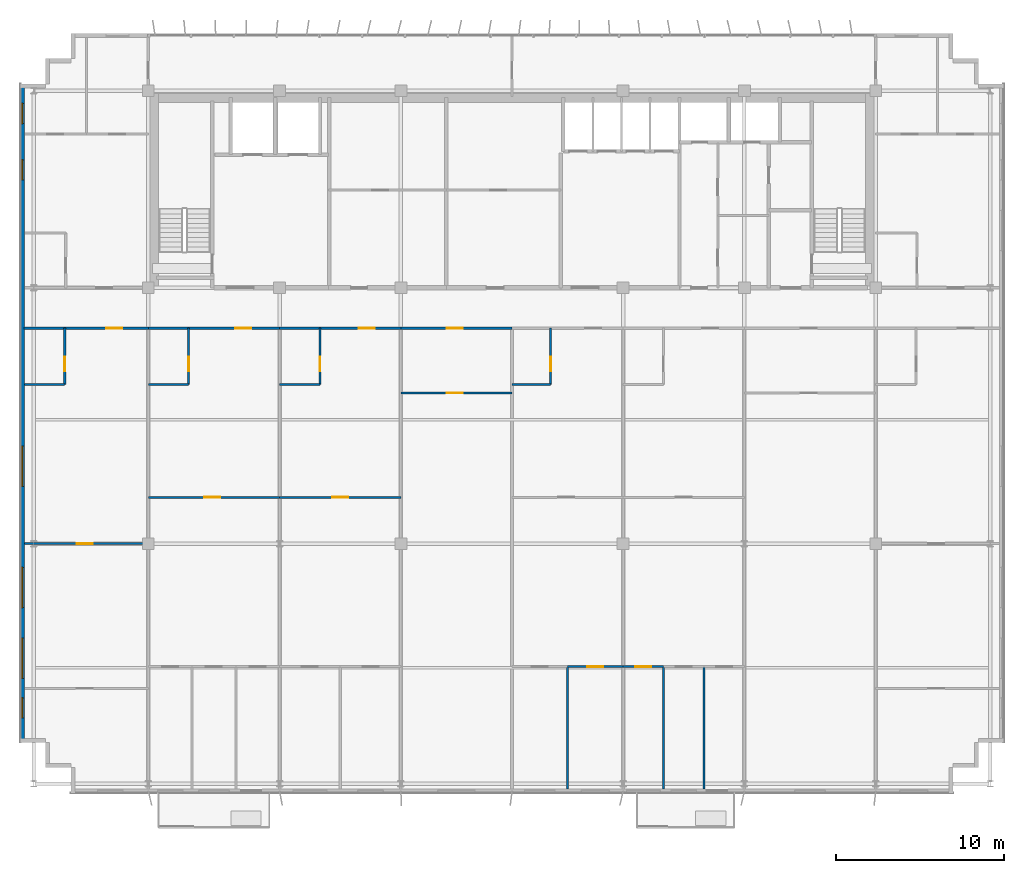
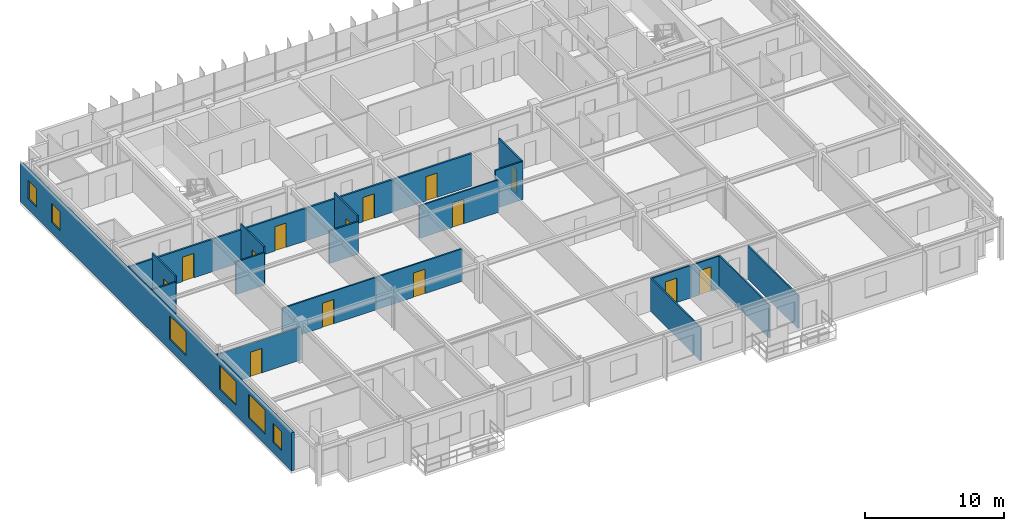
# One storey, part 17 of 23: 22 walls, 14 doors, 6 windows, 20 openings.
"""IFC4 building model written with IfcOpenShell, lengths in metres."""

from ifc_helpers import new_model, si_unit, direction, frame, frame_2d, origin, place, context, subcontext, project, spatial, rectangle, extrude, source, transform, mapped, material, layer, layer_set, type_object, element, fill, save


model = new_model("IFC4")

# Units and contexts
model_context = context("Model", 3, precision=1e-05, world=origin(), true_north=direction((0.0, 1.0)))
body_context = subcontext(model_context, "Body", "Model", "MODEL_VIEW")
ifc_project = project(units=[si_unit("LENGTHUNIT", "METRE"), si_unit("AREAUNIT", "SQUARE_METRE"), si_unit("VOLUMEUNIT", "CUBIC_METRE"), si_unit("PLANEANGLEUNIT", "RADIAN"), si_unit("MASSUNIT", "GRAM", prefix="KILO")], contexts=[model_context])

# Site, building, storey
site_placement = place(None, origin())
site = spatial("IfcSite", under=ifc_project, at=site_placement, CompositionType="ELEMENT")
building_placement = place(site_placement, origin())
building = spatial("IfcBuilding", under=site, at=building_placement, Name="Trelvane Seafront Commons", CompositionType="ELEMENT")
storey_placement = place(building_placement, frame((0.0, 0.0, 226.5)))
storey = spatial("IfcBuildingStorey", under=building, at=storey_placement, Name="L59", CompositionType="ELEMENT", Elevation=226.5)

# Wall, openings, windows
ifc_material_1 = material(Name="Precast concrete C40/50", Category="concrete")
ifc_layer_1 = layer(ifc_material_1, 0.239990234375, Name="ARCH-WALL-EXT240")
ifc_layer_set_1 = layer_set([ifc_layer_1], Name="Precast concrete C40/50")
wall_type_1 = type_object("IfcWallType", Name="ARCH-WALL-EXT240", PredefinedType="SOLIDWALL", material=ifc_layer_set_1)
wall_1_placement = place(storey_placement, frame((8.1201171875, 6.39990234375, 0.0), z_axis=(0.0, 0.0, 1.0), x_axis=(0.0, 1.0, 0.0)))
wall_1 = element("IfcWall", 1, at=wall_1_placement, inside=storey, type_object=wall_type_1, Name="EW-L59-01188", PredefinedType="SOLIDWALL", context=body_context, shape_type="SweptSolid", body=[
    extrude(rectangle(XDim=39.10009765625, YDim=0.239990234375, at=frame_2d((19.550048828125, 0.0))), origin(), (0.0, 0.0, 1.0), 3.360107421875),
])
opening_1_placement = place(wall_1_placement, frame((1.449951171875, 0.0, 0.919921875)))
opening_1 = element("IfcOpeningElement", 2, at=opening_1_placement, cuts=wall_1, Name="Opening W05", PredefinedType="OPENING", context=body_context, shape_type="SweptSolid", body=[
    extrude(rectangle(XDim=1.199951171875, YDim=1.64990234375, at=frame_2d((0.60009765625, 0.824951171875))), frame((0.0, 0.1298828125, 0.0), z_axis=(0.0, -1.0, 0.0), x_axis=(1.0, 0.0, 0.0)), (0.0, 0.0, 1.0), 0.260009765625),
])
opening_2_placement = place(wall_1_placement, frame((3.800048828125, 0.0, 0.919921875)))
opening_2 = element("IfcOpeningElement", 3, at=opening_2_placement, cuts=wall_1, Name="Opening W08", PredefinedType="OPENING", context=body_context, shape_type="SweptSolid", body=[
    extrude(rectangle(XDim=2.39990234375, YDim=2.10009765625, at=frame_2d((1.199951171875, 1.050048828125))), frame((0.0, 0.1298828125, 0.0), z_axis=(0.0, -1.0, 0.0), x_axis=(1.0, 0.0, 0.0)), (0.0, 0.0, 1.0), 0.260009765625),
])
opening_3_placement = place(wall_1_placement, frame((8.0, 0.0, 0.919921875)))
opening_3 = element("IfcOpeningElement", 4, at=opening_3_placement, cuts=wall_1, Name="Opening W08", PredefinedType="OPENING", context=body_context, shape_type="SweptSolid", body=[
    extrude(rectangle(XDim=2.39990234375, YDim=2.10009765625, at=frame_2d((1.199951171875, 1.050048828125))), frame((0.0, 0.1298828125, 0.0), z_axis=(0.0, -1.0, 0.0), x_axis=(1.0, 0.0, 0.0)), (0.0, 0.0, 1.0), 0.260009765625),
])
opening_4_placement = place(wall_1_placement, frame((15.199951171875, 0.0, 0.919921875)))
opening_4 = element("IfcOpeningElement", 5, at=opening_4_placement, cuts=wall_1, Name="Opening W08", PredefinedType="OPENING", context=body_context, shape_type="SweptSolid", body=[
    extrude(rectangle(XDim=2.39990234375, YDim=2.10009765625, at=frame_2d((1.199951171875, 1.050048828125))), frame((0.0, 0.1298828125, 0.0), z_axis=(0.0, -1.0, 0.0), x_axis=(1.0, 0.0, 0.0)), (0.0, 0.0, 1.0), 0.260009765625),
])
opening_5_placement = place(wall_1_placement, frame((33.39990234375, 0.0, 0.919921875)))
opening_5 = element("IfcOpeningElement", 6, at=opening_5_placement, cuts=wall_1, Name="Opening W05", PredefinedType="OPENING", context=body_context, shape_type="SweptSolid", body=[
    extrude(rectangle(XDim=1.199951171875, YDim=1.64990234375, at=frame_2d((0.60009765625, 0.824951171875))), frame((0.0, 0.1298828125, 0.0), z_axis=(0.0, -1.0, 0.0), x_axis=(1.0, 0.0, 0.0)), (0.0, 0.0, 1.0), 0.260009765625),
])
opening_6_placement = place(wall_1_placement, frame((36.75, 0.0, 0.919921875)))
opening_6 = element("IfcOpeningElement", 7, at=opening_6_placement, cuts=wall_1, Name="Opening W05", PredefinedType="OPENING", context=body_context, shape_type="SweptSolid", body=[
    extrude(rectangle(XDim=1.199951171875, YDim=1.64990234375, at=frame_2d((0.60009765625, 0.824951171875))), frame((0.0, 0.1298828125, 0.0), z_axis=(0.0, -1.0, 0.0), x_axis=(1.0, 0.0, 0.0)), (0.0, 0.0, 1.0), 0.260009765625),
])
ifc_material_2 = material(Name="Low-E coastal double glazing", Category="glass")
window_type_1 = type_object("IfcWindowType", Name="ARCH-WIN-W08", PartitioningType="SINGLE_PANEL", PredefinedType="WINDOW", material=ifc_material_2)
shared_shape_1 = source(origin(), body_context, "Body", "SweptSolid", [
    extrude(rectangle(XDim=2.39990234375, YDim=2.10009765625, at=frame_2d((1.199951171875, 1.050048828125))), frame((0.0, 0.030029296875, 0.0), z_axis=(0.0, -1.0, 0.0), x_axis=(1.0, 0.0, 0.0)), (0.0, 0.0, 1.0), 0.06005859375),
])
window_1_placement = place(opening_2_placement, origin())
window_1 = element("IfcWindow", 8, at=window_1_placement, inside=storey, type_object=window_type_1, Name="WIN-L59-EW-01439", OverallHeight=2.10009765625, OverallWidth=2.39990234375, PartitioningType="SINGLE_PANEL", PredefinedType="WINDOW", context=body_context, shape_type="MappedRepresentation", body=[
    mapped(shared_shape_1, transform((0.0, 0.0, 0.0), x_axis=(1.0, 0.0, 0.0), y_axis=(0.0, 1.0, 0.0), z_axis=(0.0, 0.0, 1.0), scale=1.0)),
])
fill(opening_2, window_1)
window_2_placement = place(opening_3_placement, origin())
window_2 = element("IfcWindow", 9, at=window_2_placement, inside=storey, type_object=window_type_1, Name="WIN-L59-EW-01440", OverallHeight=2.10009765625, OverallWidth=2.39990234375, PartitioningType="SINGLE_PANEL", PredefinedType="WINDOW", context=body_context, shape_type="MappedRepresentation", body=[
    mapped(shared_shape_1, transform((0.0, 0.0, 0.0), x_axis=(1.0, 0.0, 0.0), y_axis=(0.0, 1.0, 0.0), z_axis=(0.0, 0.0, 1.0), scale=1.0)),
])
fill(opening_3, window_2)
window_3_placement = place(opening_4_placement, origin())
window_3 = element("IfcWindow", 10, at=window_3_placement, inside=storey, type_object=window_type_1, Name="WIN-L59-EW-01441", OverallHeight=2.10009765625, OverallWidth=2.39990234375, PartitioningType="SINGLE_PANEL", PredefinedType="WINDOW", context=body_context, shape_type="MappedRepresentation", body=[
    mapped(shared_shape_1, transform((0.0, 0.0, 0.0), x_axis=(1.0, 0.0, 0.0), y_axis=(0.0, 1.0, 0.0), z_axis=(0.0, 0.0, 1.0), scale=1.0)),
])
fill(opening_4, window_3)
window_type_2 = type_object("IfcWindowType", Name="ARCH-WIN-W05", PartitioningType="SINGLE_PANEL", PredefinedType="WINDOW", material=ifc_material_2)
shared_shape_2 = source(origin(), body_context, "Body", "SweptSolid", [
    extrude(rectangle(XDim=1.199951171875, YDim=1.64990234375, at=frame_2d((0.60009765625, 0.824951171875))), frame((0.0, 0.030029296875, 0.0), z_axis=(0.0, -1.0, 0.0), x_axis=(1.0, 0.0, 0.0)), (0.0, 0.0, 1.0), 0.06005859375),
])
window_4_placement = place(opening_1_placement, origin())
window_4 = element("IfcWindow", 11, at=window_4_placement, inside=storey, type_object=window_type_2, Name="WIN-L59-EW-01438", OverallHeight=1.64990234375, OverallWidth=1.199951171875, PartitioningType="SINGLE_PANEL", PredefinedType="WINDOW", context=body_context, shape_type="MappedRepresentation", body=[
    mapped(shared_shape_2, transform((0.0, 0.0, 0.0), x_axis=(1.0, 0.0, 0.0), y_axis=(0.0, 1.0, 0.0), z_axis=(0.0, 0.0, 1.0), scale=1.0)),
])
fill(opening_1, window_4)
window_5_placement = place(opening_5_placement, origin())
window_5 = element("IfcWindow", 12, at=window_5_placement, inside=storey, type_object=window_type_2, Name="WIN-L59-EW-01442", OverallHeight=1.64990234375, OverallWidth=1.199951171875, PartitioningType="SINGLE_PANEL", PredefinedType="WINDOW", context=body_context, shape_type="MappedRepresentation", body=[
    mapped(shared_shape_2, transform((0.0, 0.0, 0.0), x_axis=(1.0, 0.0, 0.0), y_axis=(0.0, 1.0, 0.0), z_axis=(0.0, 0.0, 1.0), scale=1.0)),
])
fill(opening_5, window_5)
window_6_placement = place(opening_6_placement, origin())
window_6 = element("IfcWindow", 13, at=window_6_placement, inside=storey, type_object=window_type_2, Name="WIN-L59-EW-01443", OverallHeight=1.64990234375, OverallWidth=1.199951171875, PartitioningType="SINGLE_PANEL", PredefinedType="WINDOW", context=body_context, shape_type="MappedRepresentation", body=[
    mapped(shared_shape_2, transform((0.0, 0.0, 0.0), x_axis=(1.0, 0.0, 0.0), y_axis=(0.0, 1.0, 0.0), z_axis=(0.0, 0.0, 1.0), scale=1.0)),
])
fill(opening_6, window_6)

# Wall, opening, door
ifc_material_3 = material(Name="Gypsum Drywall Acoustic Partition")
ifc_layer_2 = layer(ifc_material_3, 0.1201171875, Name="ARCH-WALL-PART120")
ifc_layer_set_2 = layer_set([ifc_layer_2], Name="Gypsum Drywall Acoustic Partition")
wall_type_2 = type_object("IfcWallType", Name="ARCH-WALL-PART120", PredefinedType="PARTITIONING", material=ifc_layer_set_2)
wall_2_placement = place(storey_placement, frame((8.239990234375, 18.199951171875, 0.0), z_axis=(0.0, 0.0, 1.0), x_axis=(1.0, 0.0, 0.0)))
wall_2 = element("IfcWall", 14, at=wall_2_placement, inside=storey, type_object=wall_type_2, Name="W-L59-U1-KL-057", PredefinedType="PARTITIONING", context=body_context, shape_type="SweptSolid", body=[
    extrude(rectangle(XDim=7.360107421875, YDim=0.1201171875, at=frame_2d((3.68017578125, 0.0))), origin(), (0.0, 0.0, 1.0), 2.909912109375),
])
opening_7_placement = place(wall_2_placement, frame((3.114013671875, 0.0, 0.0)))
opening_7 = element("IfcOpeningElement", 15, at=opening_7_placement, cuts=wall_2, Name="Opening D-L59-33", PredefinedType="OPENING", context=body_context, shape_type="SweptSolid", body=[
    extrude(rectangle(XDim=0.949951171875, YDim=2.14990234375, at=frame_2d((0.47509765625, 1.074951171875))), frame((0.0, 0.070068359375, 0.0), z_axis=(0.0, -1.0, 0.0), x_axis=(1.0, 0.0, 0.0)), (0.0, 0.0, 1.0), 0.14013671875),
])
ifc_material_4 = material(Name="Acoustic timber door leaf", Category="wood")
door_type_1 = type_object("IfcDoorType", Name="ARCH-DR-INT950", OperationType="NOTDEFINED", PredefinedType="DOOR", material=ifc_material_4)
shared_shape_3 = source(origin(), body_context, "Body", "SweptSolid", [
    extrude(rectangle(XDim=0.949951171875, YDim=2.14990234375, at=frame_2d((0.47509765625, 1.074951171875))), frame((0.0, 0.02490234375, 0.0), z_axis=(0.0, -1.0, 0.0), x_axis=(1.0, 0.0, 0.0)), (0.0, 0.0, 1.0), 0.050048828125),
])
door_1_placement = place(opening_7_placement, origin())
door_1 = element("IfcDoor", 16, at=door_1_placement, inside=storey, type_object=door_type_1, Name="L59 Door 33", OperationType="SINGLE_SWING_LEFT", OverallHeight=2.14990234375, OverallWidth=0.949951171875, PredefinedType="DOOR", context=body_context, shape_type="MappedRepresentation", body=[
    mapped(shared_shape_3, transform((0.0, 0.0, 0.0), x_axis=(1.0, 0.0, 0.0), y_axis=(0.0, 1.0, 0.0), z_axis=(0.0, 0.0, 1.0), scale=1.0)),
])
fill(opening_7, door_1)

wall_3_placement = place(storey_placement, frame((10.639892578125, 27.64990234375, 0.0), z_axis=(0.0, 0.0, 1.0), x_axis=(0.0, 1.0, 0.0)))
wall_3 = element("IfcWall", 17, at=wall_3_placement, inside=storey, type_object=wall_type_2, Name="W-L59-U1-BE-058", PredefinedType="PARTITIONING", context=body_context, shape_type="SweptSolid", body=[
    extrude(rectangle(XDim=3.35009765625, YDim=0.1201171875, at=frame_2d((1.675048828125, 0.0))), origin(), (0.0, 0.0, 1.0), 3.360107421875),
])
opening_8_placement = place(wall_3_placement, frame((0.800048828125, 0.0, 0.0)))
opening_8 = element("IfcOpeningElement", 18, at=opening_8_placement, cuts=wall_3, Name="Opening D-L59-34", PredefinedType="OPENING", context=body_context, shape_type="SweptSolid", body=[
    extrude(rectangle(XDim=0.85009765625, YDim=2.10009765625, at=frame_2d((0.425048828125, 1.050048828125))), frame((0.0, 0.070068359375, 0.0), z_axis=(0.0, -1.0, 0.0), x_axis=(1.0, 0.0, 0.0)), (0.0, 0.0, 1.0), 0.14013671875),
])
door_type_2 = type_object("IfcDoorType", Name="ARCH-DR-INT850", OperationType="NOTDEFINED", PredefinedType="DOOR", material=ifc_material_4)
shared_shape_4 = source(origin(), body_context, "Body", "SweptSolid", [
    extrude(rectangle(XDim=0.85009765625, YDim=2.10009765625, at=frame_2d((0.425048828125, 1.050048828125))), frame((0.0, 0.02490234375, 0.0), z_axis=(0.0, -1.0, 0.0), x_axis=(1.0, 0.0, 0.0)), (0.0, 0.0, 1.0), 0.050048828125),
])
door_2_placement = place(opening_8_placement, origin())
door_2 = element("IfcDoor", 19, at=door_2_placement, inside=storey, type_object=door_type_2, Name="L59 Door 34", OperationType="SINGLE_SWING_RIGHT", OverallHeight=2.10009765625, OverallWidth=0.85009765625, PredefinedType="DOOR", context=body_context, shape_type="MappedRepresentation", body=[
    mapped(shared_shape_4, transform((0.0, 0.0, 0.0), x_axis=(1.0, 0.0, 0.0), y_axis=(0.0, 1.0, 0.0), z_axis=(0.0, 0.0, 1.0), scale=1.0)),
])
fill(opening_8, door_2)

# Wall
wall_4_placement = place(storey_placement, frame((8.239990234375, 27.64990234375, 0.0), z_axis=(0.0, 0.0, 1.0), x_axis=(1.0, 0.0, 0.0)))
element("IfcWall", 20, at=wall_4_placement, inside=storey, type_object=wall_type_2, Name="W-L59-U1-BS-059", PredefinedType="PARTITIONING", context=body_context, shape_type="SweptSolid", body=[
    extrude(rectangle(XDim=2.39990234375, YDim=0.1201171875, at=frame_2d((1.199951171875, 0.0))), origin(), (0.0, 0.0, 1.0), 2.860107421875),
])

# Wall, opening, door
wall_5_placement = place(storey_placement, frame((15.60009765625, 20.949951171875, 0.0), z_axis=(0.0, 0.0, 1.0), x_axis=(1.0, 0.0, 0.0)))
wall_5 = element("IfcWall", 21, at=wall_5_placement, inside=storey, type_object=wall_type_2, Name="W-L59-U2-KL-062", PredefinedType="PARTITIONING", context=body_context, shape_type="SweptSolid", body=[
    extrude(rectangle(XDim=7.7998046875, YDim=0.1201171875, at=frame_2d((3.89990234375, 0.0))), origin(), (0.0, 0.0, 1.0), 2.860107421875),
])
opening_9_placement = place(wall_5_placement, frame((3.3330078125, 0.0, 0.0)))
opening_9 = element("IfcOpeningElement", 22, at=opening_9_placement, cuts=wall_5, Name="Opening D-L59-37", PredefinedType="OPENING", context=body_context, shape_type="SweptSolid", body=[
    extrude(rectangle(XDim=0.949951171875, YDim=2.14990234375, at=frame_2d((0.47509765625, 1.074951171875))), frame((0.0, 0.070068359375, 0.0), z_axis=(0.0, -1.0, 0.0), x_axis=(1.0, 0.0, 0.0)), (0.0, 0.0, 1.0), 0.14013671875),
])
door_3_placement = place(opening_9_placement, origin())
door_3 = element("IfcDoor", 23, at=door_3_placement, inside=storey, type_object=door_type_1, Name="L59 Door 37", OperationType="SINGLE_SWING_LEFT", OverallHeight=2.14990234375, OverallWidth=0.949951171875, PredefinedType="DOOR", context=body_context, shape_type="MappedRepresentation", body=[
    mapped(shared_shape_3, transform((0.0, 0.0, 0.0), x_axis=(1.0, 0.0, 0.0), y_axis=(0.0, 1.0, 0.0), z_axis=(0.0, 0.0, 1.0), scale=1.0)),
])
fill(opening_9, door_3)

wall_6_placement = place(storey_placement, frame((18.0, 27.64990234375, 0.0), z_axis=(0.0, 0.0, 1.0), x_axis=(0.0, 1.0, 0.0)))
wall_6 = element("IfcWall", 24, at=wall_6_placement, inside=storey, type_object=wall_type_2, Name="W-L59-U2-BE-063", PredefinedType="PARTITIONING", context=body_context, shape_type="SweptSolid", body=[
    extrude(rectangle(XDim=3.35009765625, YDim=0.1201171875, at=frame_2d((1.675048828125, 0.0))), origin(), (0.0, 0.0, 1.0), 3.360107421875),
])
opening_10_placement = place(wall_6_placement, frame((0.800048828125, 0.0, 0.0)))
opening_10 = element("IfcOpeningElement", 25, at=opening_10_placement, cuts=wall_6, Name="Opening D-L59-38", PredefinedType="OPENING", context=body_context, shape_type="SweptSolid", body=[
    extrude(rectangle(XDim=0.85009765625, YDim=2.10009765625, at=frame_2d((0.425048828125, 1.050048828125))), frame((0.0, 0.070068359375, 0.0), z_axis=(0.0, -1.0, 0.0), x_axis=(1.0, 0.0, 0.0)), (0.0, 0.0, 1.0), 0.14013671875),
])
door_4_placement = place(opening_10_placement, origin())
door_4 = element("IfcDoor", 26, at=door_4_placement, inside=storey, type_object=door_type_2, Name="L59 Door 38", OperationType="SINGLE_SWING_RIGHT", OverallHeight=2.10009765625, OverallWidth=0.85009765625, PredefinedType="DOOR", context=body_context, shape_type="MappedRepresentation", body=[
    mapped(shared_shape_4, transform((0.0, 0.0, 0.0), x_axis=(1.0, 0.0, 0.0), y_axis=(0.0, 1.0, 0.0), z_axis=(0.0, 0.0, 1.0), scale=1.0)),
])
fill(opening_10, door_4)

# Wall
wall_7_placement = place(storey_placement, frame((15.60009765625, 27.64990234375, 0.0), z_axis=(0.0, 0.0, 1.0), x_axis=(1.0, 0.0, 0.0)))
element("IfcWall", 27, at=wall_7_placement, inside=storey, type_object=wall_type_2, Name="W-L59-U2-BS-064", PredefinedType="PARTITIONING", context=body_context, shape_type="SweptSolid", body=[
    extrude(rectangle(XDim=2.39990234375, YDim=0.1201171875, at=frame_2d((1.199951171875, 0.0))), origin(), (0.0, 0.0, 1.0), 2.860107421875),
])

# Wall, opening, door
wall_8_placement = place(storey_placement, frame((23.39990234375, 20.949951171875, 0.0), z_axis=(0.0, 0.0, 1.0), x_axis=(1.0, 0.0, 0.0)))
wall_8 = element("IfcWall", 28, at=wall_8_placement, inside=storey, type_object=wall_type_2, Name="W-L59-U3-KL-071", PredefinedType="PARTITIONING", context=body_context, shape_type="SweptSolid", body=[
    extrude(rectangle(XDim=7.2001953125, YDim=0.1201171875, at=frame_2d((3.60009765625, 0.0))), origin(), (0.0, 0.0, 1.0), 2.860107421875),
])
opening_11_placement = place(wall_8_placement, frame((3.125, 0.0, 0.0)))
opening_11 = element("IfcOpeningElement", 29, at=opening_11_placement, cuts=wall_8, Name="Opening D-L59-43", PredefinedType="OPENING", context=body_context, shape_type="SweptSolid", body=[
    extrude(rectangle(XDim=0.949951171875, YDim=2.14990234375, at=frame_2d((0.47509765625, 1.074951171875))), frame((0.0, 0.070068359375, 0.0), z_axis=(0.0, -1.0, 0.0), x_axis=(1.0, 0.0, 0.0)), (0.0, 0.0, 1.0), 0.14013671875),
])
door_5_placement = place(opening_11_placement, origin())
door_5 = element("IfcDoor", 30, at=door_5_placement, inside=storey, type_object=door_type_1, Name="L59 Door 43", OperationType="SINGLE_SWING_LEFT", OverallHeight=2.14990234375, OverallWidth=0.949951171875, PredefinedType="DOOR", context=body_context, shape_type="MappedRepresentation", body=[
    mapped(shared_shape_3, transform((0.0, 0.0, 0.0), x_axis=(1.0, 0.0, 0.0), y_axis=(0.0, 1.0, 0.0), z_axis=(0.0, 0.0, 1.0), scale=1.0)),
])
fill(opening_11, door_5)

wall_9_placement = place(storey_placement, frame((25.800048828125, 27.64990234375, 0.0), z_axis=(0.0, 0.0, 1.0), x_axis=(0.0, 1.0, 0.0)))
wall_9 = element("IfcWall", 31, at=wall_9_placement, inside=storey, type_object=wall_type_2, Name="W-L59-U3-BE-072", PredefinedType="PARTITIONING", context=body_context, shape_type="SweptSolid", body=[
    extrude(rectangle(XDim=3.35009765625, YDim=0.1201171875, at=frame_2d((1.675048828125, 0.0))), origin(), (0.0, 0.0, 1.0), 3.360107421875),
])
opening_12_placement = place(wall_9_placement, frame((0.800048828125, 0.0, 0.0)))
opening_12 = element("IfcOpeningElement", 32, at=opening_12_placement, cuts=wall_9, Name="Opening D-L59-44", PredefinedType="OPENING", context=body_context, shape_type="SweptSolid", body=[
    extrude(rectangle(XDim=0.85009765625, YDim=2.10009765625, at=frame_2d((0.425048828125, 1.050048828125))), frame((0.0, 0.070068359375, 0.0), z_axis=(0.0, -1.0, 0.0), x_axis=(1.0, 0.0, 0.0)), (0.0, 0.0, 1.0), 0.14013671875),
])
door_6_placement = place(opening_12_placement, origin())
door_6 = element("IfcDoor", 33, at=door_6_placement, inside=storey, type_object=door_type_2, Name="L59 Door 44", OperationType="SINGLE_SWING_RIGHT", OverallHeight=2.10009765625, OverallWidth=0.85009765625, PredefinedType="DOOR", context=body_context, shape_type="MappedRepresentation", body=[
    mapped(shared_shape_4, transform((0.0, 0.0, 0.0), x_axis=(1.0, 0.0, 0.0), y_axis=(0.0, 1.0, 0.0), z_axis=(0.0, 0.0, 1.0), scale=1.0)),
])
fill(opening_12, door_6)

# Wall
wall_10_placement = place(storey_placement, frame((23.39990234375, 27.64990234375, 0.0), z_axis=(0.0, 0.0, 1.0), x_axis=(1.0, 0.0, 0.0)))
element("IfcWall", 34, at=wall_10_placement, inside=storey, type_object=wall_type_2, Name="W-L59-U3-BS-073", PredefinedType="PARTITIONING", context=body_context, shape_type="SweptSolid", body=[
    extrude(rectangle(XDim=2.400146484375, YDim=0.1201171875, at=frame_2d((1.2001953125, 0.0))), origin(), (0.0, 0.0, 1.0), 2.860107421875),
])

# Wall, opening, door
wall_11_placement = place(storey_placement, frame((30.60009765625, 27.14990234375, 0.0), z_axis=(0.0, 0.0, 1.0), x_axis=(1.0, 0.0, 0.0)))
wall_11 = element("IfcWall", 35, at=wall_11_placement, inside=storey, type_object=wall_type_2, Name="W-L59-U4-DIV-079", PredefinedType="PARTITIONING", context=body_context, shape_type="SweptSolid", body=[
    extrude(rectangle(XDim=6.599853515625, YDim=0.1201171875, at=frame_2d((3.2998046875, 0.0))), origin(), (0.0, 0.0, 1.0), 2.860107421875),
])
opening_13_placement = place(wall_11_placement, frame((2.73388671875, 0.0, 0.0)))
opening_13 = element("IfcOpeningElement", 36, at=opening_13_placement, cuts=wall_11, Name="Opening D-L59-49", PredefinedType="OPENING", context=body_context, shape_type="SweptSolid", body=[
    extrude(rectangle(XDim=0.949951171875, YDim=2.14990234375, at=frame_2d((0.47509765625, 1.074951171875))), frame((0.0, 0.070068359375, 0.0), z_axis=(0.0, -1.0, 0.0), x_axis=(1.0, 0.0, 0.0)), (0.0, 0.0, 1.0), 0.14013671875),
])
door_7_placement = place(opening_13_placement, origin())
door_7 = element("IfcDoor", 37, at=door_7_placement, inside=storey, type_object=door_type_1, Name="L59 Door 49", OperationType="SINGLE_SWING_LEFT", OverallHeight=2.14990234375, OverallWidth=0.949951171875, PredefinedType="DOOR", context=body_context, shape_type="MappedRepresentation", body=[
    mapped(shared_shape_3, transform((0.0, 0.0, 0.0), x_axis=(1.0, 0.0, 0.0), y_axis=(0.0, 1.0, 0.0), z_axis=(0.0, 0.0, 1.0), scale=1.0)),
])
fill(opening_13, door_7)

wall_12_placement = place(storey_placement, frame((39.493896484375, 27.64990234375, 0.0), z_axis=(0.0, 0.0, 1.0), x_axis=(0.0, 1.0, 0.0)))
wall_12 = element("IfcWall", 38, at=wall_12_placement, inside=storey, type_object=wall_type_2, Name="W-L59-U5-BE-081", PredefinedType="PARTITIONING", context=body_context, shape_type="SweptSolid", body=[
    extrude(rectangle(XDim=3.35009765625, YDim=0.1201171875, at=frame_2d((1.675048828125, 0.0))), origin(), (0.0, 0.0, 1.0), 3.360107421875),
])
opening_14_placement = place(wall_12_placement, frame((0.800048828125, 0.0, 0.0)))
opening_14 = element("IfcOpeningElement", 39, at=opening_14_placement, cuts=wall_12, Name="Opening D-L59-51", PredefinedType="OPENING", context=body_context, shape_type="SweptSolid", body=[
    extrude(rectangle(XDim=0.85009765625, YDim=2.10009765625, at=frame_2d((0.425048828125, 1.050048828125))), frame((0.0, 0.070068359375, 0.0), z_axis=(0.0, -1.0, 0.0), x_axis=(1.0, 0.0, 0.0)), (0.0, 0.0, 1.0), 0.14013671875),
])
door_8_placement = place(opening_14_placement, origin())
door_8 = element("IfcDoor", 40, at=door_8_placement, inside=storey, type_object=door_type_2, Name="L59 Door 51", OperationType="SINGLE_SWING_LEFT", OverallHeight=2.10009765625, OverallWidth=0.85009765625, PredefinedType="DOOR", context=body_context, shape_type="MappedRepresentation", body=[
    mapped(shared_shape_4, transform((0.0, 0.0, 0.0), x_axis=(1.0, 0.0, 0.0), y_axis=(0.0, 1.0, 0.0), z_axis=(0.0, 0.0, 1.0), scale=1.0)),
])
fill(opening_14, door_8)

# Wall
wall_13_placement = place(storey_placement, frame((37.199951171875, 27.64990234375, 0.0), z_axis=(0.0, 0.0, 1.0), x_axis=(1.0, 0.0, 0.0)))
element("IfcWall", 41, at=wall_13_placement, inside=storey, type_object=wall_type_2, Name="W-L59-U5-BS-082", PredefinedType="PARTITIONING", context=body_context, shape_type="SweptSolid", body=[
    extrude(rectangle(XDim=2.2939453125, YDim=0.1201171875, at=frame_2d((1.14697265625, 0.0))), origin(), (0.0, 0.0, 1.0), 3.360107421875),
])

# Wall, opening, door
wall_14_placement = place(storey_placement, frame((40.5, 10.89990234375, 0.0), z_axis=(0.0, 0.0, 1.0), x_axis=(1.0, 0.0, 0.0)))
wall_14 = element("IfcWall", 42, at=wall_14_placement, inside=storey, type_object=wall_type_2, Name="W-L59-U5-YM-2-085", PredefinedType="PARTITIONING", context=body_context, shape_type="SweptSolid", body=[
    extrude(rectangle(XDim=3.300048828125, YDim=0.1201171875, at=frame_2d((1.64990234375, 0.0))), origin(), (0.0, 0.0, 1.0), 2.860107421875),
])
opening_15_placement = place(wall_14_placement, frame((1.175048828125, 0.0, 0.0)))
opening_15 = element("IfcOpeningElement", 43, at=opening_15_placement, cuts=wall_14, Name="Opening D-L59-54", PredefinedType="OPENING", context=body_context, shape_type="SweptSolid", body=[
    extrude(rectangle(XDim=0.949951171875, YDim=2.14990234375, at=frame_2d((0.47509765625, 1.074951171875))), frame((0.0, 0.070068359375, 0.0), z_axis=(0.0, -1.0, 0.0), x_axis=(1.0, 0.0, 0.0)), (0.0, 0.0, 1.0), 0.14013671875),
])
door_9_placement = place(opening_15_placement, origin())
door_9 = element("IfcDoor", 44, at=door_9_placement, inside=storey, type_object=door_type_1, Name="L59 Door 54", OperationType="SINGLE_SWING_RIGHT", OverallHeight=2.14990234375, OverallWidth=0.949951171875, PredefinedType="DOOR", context=body_context, shape_type="MappedRepresentation", body=[
    mapped(shared_shape_3, transform((0.0, 0.0, 0.0), x_axis=(1.0, 0.0, 0.0), y_axis=(0.0, 1.0, 0.0), z_axis=(0.0, 0.0, 1.0), scale=1.0)),
])
fill(opening_15, door_9)

# Wall
wall_15_placement = place(storey_placement, frame((40.5, 3.625, 0.0), z_axis=(0.0, 0.0, 1.0), x_axis=(0.0, 1.0, 0.0)))
element("IfcWall", 45, at=wall_15_placement, inside=storey, type_object=wall_type_2, Name="W-L59-U5-BDV-1-086", PredefinedType="PARTITIONING", context=body_context, shape_type="SweptSolid", body=[
    extrude(rectangle(XDim=7.27490234375, YDim=0.1201171875, at=frame_2d((3.637451171875, 0.0))), origin(), (0.0, 0.0, 1.0), 2.909912109375),
])

# Wall, opening, door
wall_16_placement = place(storey_placement, frame((43.800048828125, 10.89990234375, 0.0), z_axis=(0.0, 0.0, 1.0), x_axis=(1.0, 0.0, 0.0)))
wall_16 = element("IfcWall", 46, at=wall_16_placement, inside=storey, type_object=wall_type_2, Name="W-L59-U6-YM-1-091", PredefinedType="PARTITIONING", context=body_context, shape_type="SweptSolid", body=[
    extrude(rectangle(XDim=2.39990234375, YDim=0.1201171875, at=frame_2d((1.199951171875, 0.0))), origin(), (0.0, 0.0, 1.0), 2.860107421875),
])
opening_16_placement = place(wall_16_placement, frame((0.72509765625, 0.0, 0.0)))
opening_16 = element("IfcOpeningElement", 47, at=opening_16_placement, cuts=wall_16, Name="Opening D-L59-58", PredefinedType="OPENING", context=body_context, shape_type="SweptSolid", body=[
    extrude(rectangle(XDim=0.949951171875, YDim=2.14990234375, at=frame_2d((0.47509765625, 1.074951171875))), frame((0.0, 0.070068359375, 0.0), z_axis=(0.0, -1.0, 0.0), x_axis=(1.0, 0.0, 0.0)), (0.0, 0.0, 1.0), 0.14013671875),
])
door_10_placement = place(opening_16_placement, origin())
door_10 = element("IfcDoor", 48, at=door_10_placement, inside=storey, type_object=door_type_1, Name="L59 Door 58", OperationType="SINGLE_SWING_RIGHT", OverallHeight=2.14990234375, OverallWidth=0.949951171875, PredefinedType="DOOR", context=body_context, shape_type="MappedRepresentation", body=[
    mapped(shared_shape_3, transform((0.0, 0.0, 0.0), x_axis=(1.0, 0.0, 0.0), y_axis=(0.0, 1.0, 0.0), z_axis=(0.0, 0.0, 1.0), scale=1.0)),
])
fill(opening_16, door_10)

# Walls
for number, where, z_axis, x_axis, name in (
    (49, (46.199951171875, 3.625, 0.0), (0.0, 0.0, 1.0), (0.0, 1.0, 0.0), "W-L59-U6-BDV-1-093"),
    (50, (48.60009765625, 3.625, 0.0), (0.0, 0.0, 1.0), (0.0, 1.0, 0.0), "W-L59-U6-BDV-2-095"),
):
    element("IfcWall", number, at=place(storey_placement, frame(where, z_axis=z_axis, x_axis=x_axis)), inside=storey, type_object=wall_type_2, Name=name, PredefinedType="PARTITIONING", context=body_context, shape_type="SweptSolid", body=[
        extrude(rectangle(XDim=7.27490234375, YDim=0.1201171875, at=frame_2d((3.637451171875, 0.0))), origin(), (0.0, 0.0, 1.0), 2.909912109375),
    ])

# Wall, opening, door
ifc_layer_3 = layer(ifc_material_3, 0.14990234375, Name="ARCH-WALL-PART150")
ifc_layer_set_3 = layer_set([ifc_layer_3], Name="Gypsum Drywall Acoustic Partition")
wall_type_3 = type_object("IfcWallType", Name="ARCH-WALL-PART150", PredefinedType="PARTITIONING", material=ifc_layer_set_3)
wall_17_placement = place(storey_placement, frame((8.22509765625, 31.0, 0.0), z_axis=(0.0, 0.0, 1.0), x_axis=(1.0, 0.0, 0.0)))
wall_17 = element("IfcWall", 51, at=wall_17_placement, inside=storey, type_object=wall_type_3, Name="W-L59-CS-BAY-1-060", PredefinedType="PARTITIONING", context=body_context, shape_type="SweptSolid", body=[
    extrude(rectangle(XDim=7.375, YDim=0.14990234375, at=frame_2d((3.6875, 0.0))), origin(), (0.0, 0.0, 1.0), 2.860107421875),
])
opening_17_placement = place(wall_17_placement, frame((4.876953125, 0.0, 0.0)))
opening_17 = element("IfcOpeningElement", 52, at=opening_17_placement, cuts=wall_17, Name="Opening FD-L59-35", PredefinedType="OPENING", context=body_context, shape_type="SweptSolid", body=[
    extrude(rectangle(XDim=0.949951171875, YDim=2.14990234375, at=frame_2d((0.47509765625, 1.074951171875))), frame((0.0, 0.0849609375, 0.0), z_axis=(0.0, -1.0, 0.0), x_axis=(1.0, 0.0, 0.0)), (0.0, 0.0, 1.0), 0.169921875),
])
ifc_material_5 = material(Name="Powder-coated aluminium frame", Category="aluminium")
door_type_3 = type_object("IfcDoorType", Name="ARCH-DR-FD60-950", OperationType="NOTDEFINED", PredefinedType="DOOR", material=ifc_material_5)
door_11_placement = place(opening_17_placement, origin())
door_11 = element("IfcDoor", 53, at=door_11_placement, inside=storey, type_object=door_type_3, Name="L59 Unit 01 Entrance Door", OperationType="SINGLE_SWING_LEFT", OverallHeight=2.14990234375, OverallWidth=0.949951171875, PredefinedType="DOOR", context=body_context, shape_type="MappedRepresentation", body=[
    mapped(shared_shape_3, transform((0.0, 0.0, 0.0), x_axis=(1.0, 0.0, 0.0), y_axis=(0.0, 1.0, 0.0), z_axis=(0.0, 0.0, 1.0), scale=1.0)),
])
fill(opening_17, door_11)

wall_18_placement = place(storey_placement, frame((15.60009765625, 31.0, 0.0), z_axis=(0.0, 0.0, 1.0), x_axis=(1.0, 0.0, 0.0)))
wall_18 = element("IfcWall", 54, at=wall_18_placement, inside=storey, type_object=wall_type_3, Name="W-L59-CS-BAY-2-065", PredefinedType="PARTITIONING", context=body_context, shape_type="SweptSolid", body=[
    extrude(rectangle(XDim=7.7998046875, YDim=0.14990234375, at=frame_2d((3.89990234375, 0.0))), origin(), (0.0, 0.0, 1.0), 2.860107421875),
])
opening_18_placement = place(wall_18_placement, frame((5.172119140625, 0.0, 0.0)))
opening_18 = element("IfcOpeningElement", 55, at=opening_18_placement, cuts=wall_18, Name="Opening FD-L59-39", PredefinedType="OPENING", context=body_context, shape_type="SweptSolid", body=[
    extrude(rectangle(XDim=0.949951171875, YDim=2.14990234375, at=frame_2d((0.47509765625, 1.074951171875))), frame((0.0, 0.0849609375, 0.0), z_axis=(0.0, -1.0, 0.0), x_axis=(1.0, 0.0, 0.0)), (0.0, 0.0, 1.0), 0.169921875),
])
door_12_placement = place(opening_18_placement, origin())
door_12 = element("IfcDoor", 56, at=door_12_placement, inside=storey, type_object=door_type_3, Name="L59 Unit 02 Entrance Door", OperationType="SINGLE_SWING_LEFT", OverallHeight=2.14990234375, OverallWidth=0.949951171875, PredefinedType="DOOR", context=body_context, shape_type="MappedRepresentation", body=[
    mapped(shared_shape_3, transform((0.0, 0.0, 0.0), x_axis=(1.0, 0.0, 0.0), y_axis=(0.0, 1.0, 0.0), z_axis=(0.0, 0.0, 1.0), scale=1.0)),
])
fill(opening_18, door_12)

wall_19_placement = place(storey_placement, frame((23.39990234375, 31.0, 0.0), z_axis=(0.0, 0.0, 1.0), x_axis=(1.0, 0.0, 0.0)))
wall_19 = element("IfcWall", 57, at=wall_19_placement, inside=storey, type_object=wall_type_3, Name="W-L59-CS-BAY-3-074", PredefinedType="PARTITIONING", context=body_context, shape_type="SweptSolid", body=[
    extrude(rectangle(XDim=7.2001953125, YDim=0.14990234375, at=frame_2d((3.60009765625, 0.0))), origin(), (0.0, 0.0, 1.0), 2.860107421875),
])
opening_19_placement = place(wall_19_placement, frame((4.7060546875, 0.0, 0.0)))
opening_19 = element("IfcOpeningElement", 58, at=opening_19_placement, cuts=wall_19, Name="Opening FD-L59-45", PredefinedType="OPENING", context=body_context, shape_type="SweptSolid", body=[
    extrude(rectangle(XDim=0.949951171875, YDim=2.14990234375, at=frame_2d((0.47509765625, 1.074951171875))), frame((0.0, 0.0849609375, 0.0), z_axis=(0.0, -1.0, 0.0), x_axis=(1.0, 0.0, 0.0)), (0.0, 0.0, 1.0), 0.169921875),
])
door_13_placement = place(opening_19_placement, origin())
door_13 = element("IfcDoor", 59, at=door_13_placement, inside=storey, type_object=door_type_3, Name="L59 Unit 03 Entrance Door", OperationType="SINGLE_SWING_LEFT", OverallHeight=2.14990234375, OverallWidth=0.949951171875, PredefinedType="DOOR", context=body_context, shape_type="MappedRepresentation", body=[
    mapped(shared_shape_3, transform((0.0, 0.0, 0.0), x_axis=(1.0, 0.0, 0.0), y_axis=(0.0, 1.0, 0.0), z_axis=(0.0, 0.0, 1.0), scale=1.0)),
])
fill(opening_19, door_13)

wall_20_placement = place(storey_placement, frame((30.60009765625, 31.0, 0.0), z_axis=(0.0, 0.0, 1.0), x_axis=(1.0, 0.0, 0.0)))
wall_20 = element("IfcWall", 60, at=wall_20_placement, inside=storey, type_object=wall_type_3, Name="W-L59-CS-BAY-4-078", PredefinedType="PARTITIONING", context=body_context, shape_type="SweptSolid", body=[
    extrude(rectangle(XDim=6.599853515625, YDim=0.14990234375, at=frame_2d((3.2998046875, 0.0))), origin(), (0.0, 0.0, 1.0), 2.860107421875),
])
opening_20_placement = place(wall_20_placement, frame((2.73388671875, 0.0, 0.0)))
opening_20 = element("IfcOpeningElement", 61, at=opening_20_placement, cuts=wall_20, Name="Opening FD-L59-48", PredefinedType="OPENING", context=body_context, shape_type="SweptSolid", body=[
    extrude(rectangle(XDim=0.949951171875, YDim=2.14990234375, at=frame_2d((0.47509765625, 1.074951171875))), frame((0.0, 0.0849609375, 0.0), z_axis=(0.0, -1.0, 0.0), x_axis=(1.0, 0.0, 0.0)), (0.0, 0.0, 1.0), 0.169921875),
])
door_14_placement = place(opening_20_placement, origin())
door_14 = element("IfcDoor", 62, at=door_14_placement, inside=storey, type_object=door_type_3, Name="L59 Bay 04 Entrance Door", OperationType="SINGLE_SWING_RIGHT", OverallHeight=2.14990234375, OverallWidth=0.949951171875, PredefinedType="DOOR", context=body_context, shape_type="MappedRepresentation", body=[
    mapped(shared_shape_3, transform((0.0, 0.0, 0.0), x_axis=(1.0, 0.0, 0.0), y_axis=(0.0, 1.0, 0.0), z_axis=(0.0, 0.0, 1.0), scale=1.0)),
])
fill(opening_20, door_14)

save(model, "model.ifc")
